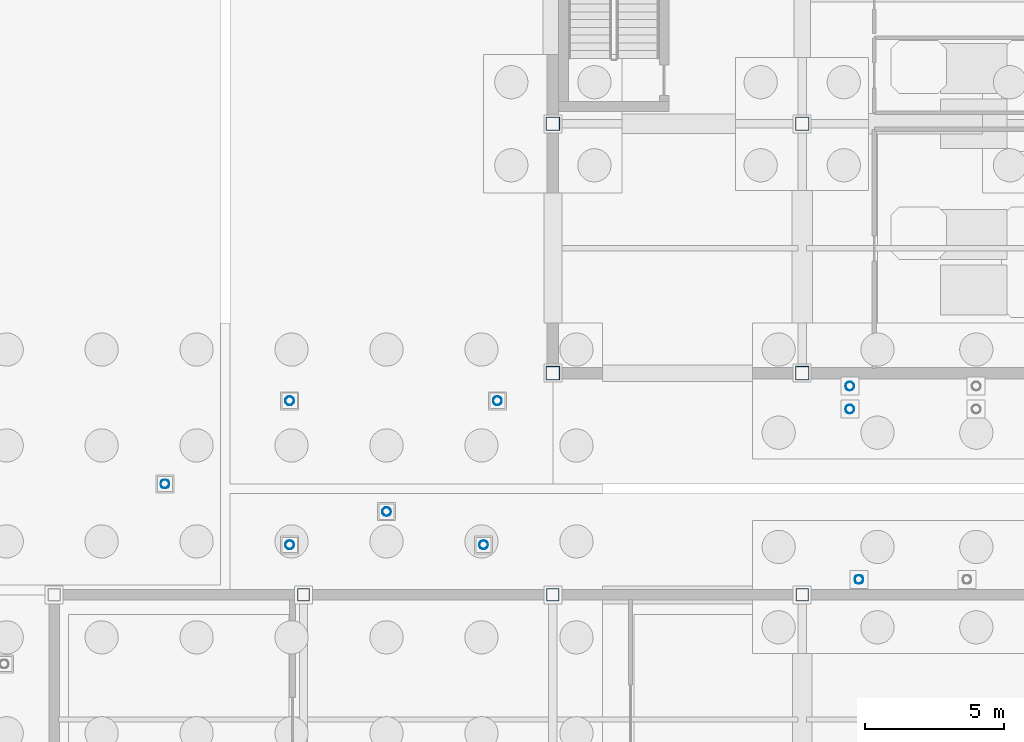
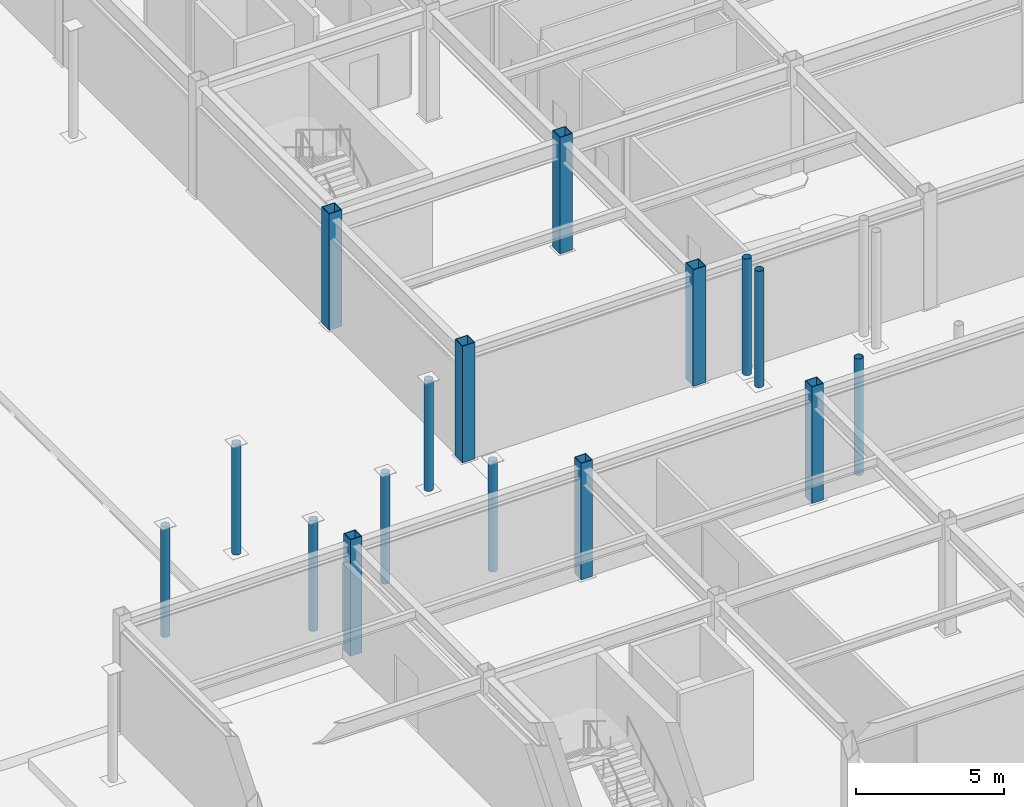
# One storey, part 35 of 74: 16 columns.
"""IFC4 building model written with IfcOpenShell, lengths in metres."""

from ifc_helpers import new_model, si_unit, direction, frame, origin, origin_2d, place, context, subcontext, project, spatial, hollow_rectangle, hollow_circle, extrude, material, material_profile, profile_set, type_object, element, save


model = new_model("IFC4")

# Units and contexts
model_context = context("Model", 3, precision=1e-05, world=origin(), true_north=direction((0.0, 1.0)))
body_context = subcontext(model_context, "Body", "Model", "MODEL_VIEW")
ifc_project = project(units=[si_unit("LENGTHUNIT", "METRE"), si_unit("AREAUNIT", "SQUARE_METRE"), si_unit("VOLUMEUNIT", "CUBIC_METRE"), si_unit("PLANEANGLEUNIT", "RADIAN"), si_unit("MASSUNIT", "GRAM", prefix="KILO")], contexts=[model_context])

# Site, building, storey
site_placement = place(None, origin())
site = spatial("IfcSite", under=ifc_project, at=site_placement, CompositionType="ELEMENT")
building_placement = place(site_placement, origin())
building = spatial("IfcBuilding", under=site, at=building_placement, Name="Suzunagisa Mobility Hub", CompositionType="ELEMENT")
storey_placement = place(building_placement, frame((0.0, 0.0, -4.800048828125)))
storey = spatial("IfcBuildingStorey", under=building, at=storey_placement, Name="B1", CompositionType="ELEMENT", Elevation=-4.800048828125)

# Columns
ifc_material = material(Name="Steel SN490B", Category="steel")
ifc_material_profile_1 = material_profile(ifc_material, hollow_circle(Radius=0.1591796875, WallThickness=0.01025390625, at=origin_2d()), Name="CHS-318.5x10.3")
ifc_profile_set_1 = profile_set([ifc_material_profile_1], Name="Steel SN490B")
column_type_1 = type_object("IfcColumnType", Name="Steel Column CL-09 CHS-318.5x10.3", PredefinedType="COLUMN", material=ifc_profile_set_1)
for number, where, z_axis, x_axis, name in (
    (1, (130.0, 40.0, 0.0), (0.0, 0.0, 1.0), (1.0, 0.0, 0.0), "B1 Column 237"),
    (2, (134.5, 37.800048828125, 0.0), (0.0, 0.0, 1.0), (1.0, 0.0, 0.0), "B1 Column 239"),
    (3, (134.5, 43.0, 0.0), (0.0, 0.0, 1.0), (1.0, 0.0, 0.0), "B1 Column 240"),
    (4, (138.0, 39.0, 0.0), (0.0, 0.0, 1.0), (1.0, 0.0, 0.0), "B1 Column 247"),
    (5, (141.5, 37.800048828125, 0.0), (0.0, 0.0, 1.0), (1.0, 0.0, 0.0), "B1 Column 248"),
    (6, (142.0, 43.0, 0.0), (0.0, 0.0, 1.0), (1.0, 0.0, 0.0), "B1 Column 249"),
):
    element("IfcColumn", number, at=place(storey_placement, frame(where, z_axis=z_axis, x_axis=x_axis)), inside=storey, type_object=column_type_1, Name=name, PredefinedType="COLUMN", context=body_context, shape_type="SweptSolid", body=[
        extrude(hollow_circle(Radius=0.1591796875, WallThickness=0.01025390625, at=origin_2d()), origin(), (0.0, 0.0, 1.0), 4.554931640625),
    ])
for number, where, z_axis, x_axis, name in (
    (7, (154.719970703125, 42.699951171875, 0.0), (0.0, 0.0, 1.0), (1.0, 0.0, 0.0), "B1 Column 277"),
    (8, (154.719970703125, 43.530029296875, 0.0), (0.0, 0.0, 1.0), (1.0, 0.0, 0.0), "B1 Column 278"),
    (9, (155.050048828125, 36.550048828125, 0.0), (0.0, 0.0, 1.0), (1.0, 0.0, 0.0), "B1 Column 279"),
):
    element("IfcColumn", number, at=place(storey_placement, frame(where, z_axis=z_axis, x_axis=x_axis)), inside=storey, type_object=column_type_1, Name=name, PredefinedType="COLUMN", context=body_context, shape_type="SweptSolid", body=[
        extrude(hollow_circle(Radius=0.1591796875, WallThickness=0.01025390625, at=origin_2d()), origin(), (0.0, 0.0, 1.0), 4.800048828125),
    ])
ifc_material_profile_2 = material_profile(ifc_material, hollow_rectangle(XDim=0.5, YDim=0.5, WallThickness=0.02490234375, at=origin_2d()), Name="BCR-500x500x25")
ifc_profile_set_2 = profile_set([ifc_material_profile_2], Name="Steel SN490B")
column_type_2 = type_object("IfcColumnType", Name="Steel Column CL-11 BCR-500x500x25", PredefinedType="COLUMN", material=ifc_profile_set_2)
for number, where, z_axis, x_axis, name in (
    (10, (144.0, 44.0, 0.0), (0.0, 0.0, 1.0), (1.0, 0.0, 0.0), "B1 Column 256"),
    (11, (144.0, 53.0, 0.0), (0.0, 0.0, 1.0), (1.0, 0.0, 0.0), "B1 Column 257"),
    (12, (153.0, 44.0, 0.0), (0.0, 0.0, 1.0), (1.0, 0.0, 0.0), "B1 Column 269"),
    (13, (153.0, 53.0, 0.0), (0.0, 0.0, 1.0), (1.0, 0.0, 0.0), "B1 Column 270"),
):
    element("IfcColumn", number, at=place(storey_placement, frame(where, z_axis=z_axis, x_axis=x_axis)), inside=storey, type_object=column_type_2, Name=name, PredefinedType="COLUMN", context=body_context, shape_type="SweptSolid", body=[
        extrude(hollow_rectangle(XDim=0.5, YDim=0.5, WallThickness=0.02490234375, at=origin_2d()), origin(), (0.0, 0.0, 1.0), 4.800048828125),
    ])
ifc_material_profile_3 = material_profile(ifc_material, hollow_rectangle(XDim=0.449951171875, YDim=0.449951171875, WallThickness=0.02197265625, at=origin_2d()), Name="BCR-450x450x22")
ifc_profile_set_3 = profile_set([ifc_material_profile_3], Name="Steel SN490B")
column_type_3 = type_object("IfcColumnType", Name="Steel Column CL-17 BCR-450x450x22", PredefinedType="COLUMN", material=ifc_profile_set_3)
for number, where, z_axis, x_axis, name in (
    (14, (135.0, 36.0, 0.0), (0.0, 0.0, 1.0), (1.0, 0.0, 0.0), "B1 Column 246"),
    (15, (144.0, 36.0, 0.0), (0.0, 0.0, 1.0), (1.0, 0.0, 0.0), "B1 Column 255"),
    (16, (153.0, 36.0, 0.0), (0.0, 0.0, 1.0), (1.0, 0.0, 0.0), "B1 Column 268"),
):
    element("IfcColumn", number, at=place(storey_placement, frame(where, z_axis=z_axis, x_axis=x_axis)), inside=storey, type_object=column_type_3, Name=name, PredefinedType="COLUMN", context=body_context, shape_type="SweptSolid", body=[
        extrude(hollow_rectangle(XDim=0.449951171875, YDim=0.449951171875, WallThickness=0.02197265625, at=origin_2d()), origin(), (0.0, 0.0, 1.0), 4.800048828125),
    ])

save(model, "model.ifc")
